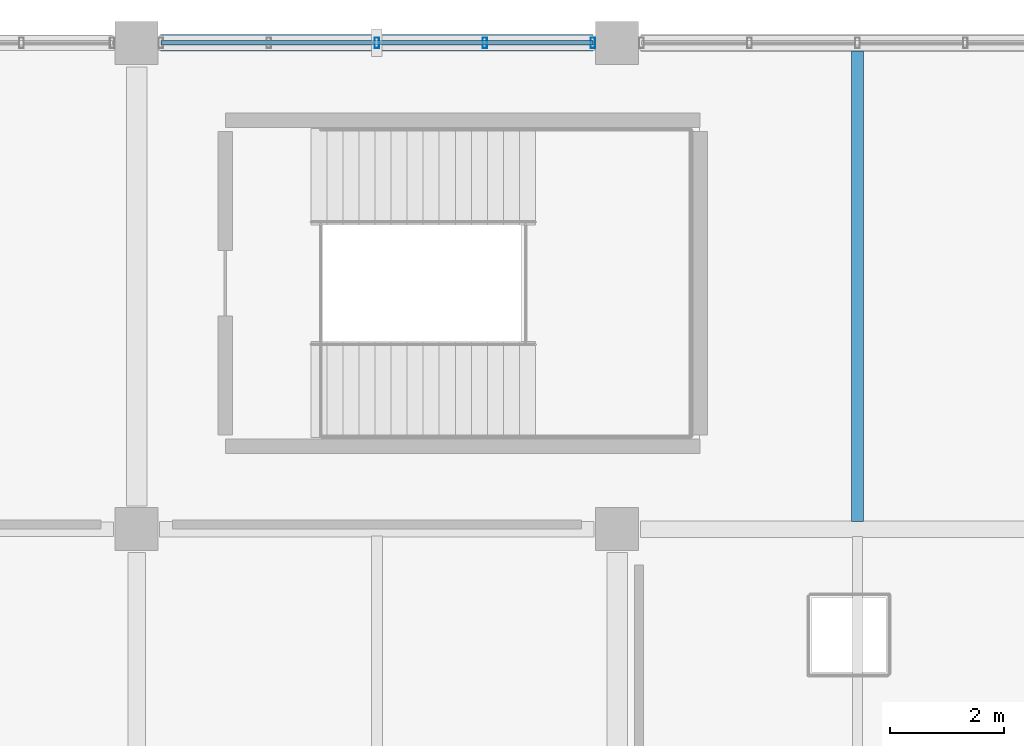
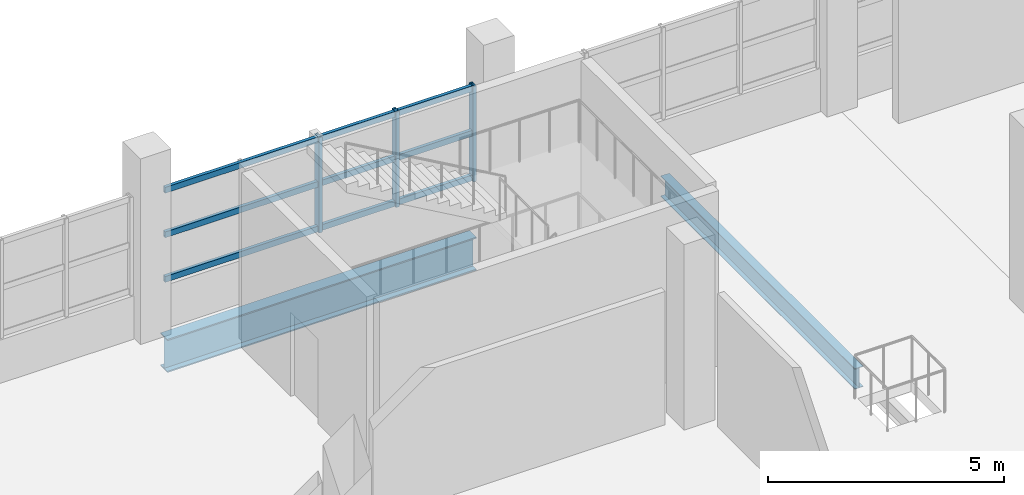
# One storey, part 75 of 117: 6 members, 2 beams, 1 element without a shape of its own.
"""IFC4 building model written with IfcOpenShell, lengths in metres."""

from ifc_helpers import new_model, si_unit, direction, frame, origin, origin_2d, place, context, subcontext, project, spatial, hollow_rectangle, i_section, extrude, material, material_profile, profile_set, type_object, element, aggregate, save


model = new_model("IFC4")

# Units and contexts
model_context = context("Model", 3, precision=1e-05, world=origin(), true_north=direction((0.0, 1.0)))
body_context = subcontext(model_context, "Body", "Model", "MODEL_VIEW")
ifc_project = project(units=[si_unit("LENGTHUNIT", "METRE"), si_unit("AREAUNIT", "SQUARE_METRE"), si_unit("VOLUMEUNIT", "CUBIC_METRE"), si_unit("PLANEANGLEUNIT", "RADIAN"), si_unit("MASSUNIT", "GRAM", prefix="KILO")], contexts=[model_context])

# Site, building, storey
site_placement = place(None, origin())
site = spatial("IfcSite", under=ifc_project, at=site_placement, CompositionType="ELEMENT")
building_placement = place(site_placement, origin())
building = spatial("IfcBuilding", under=site, at=building_placement, Name="Solvento Point Concert Hall", CompositionType="ELEMENT")
storey_placement = place(building_placement, frame((0.0, 0.0, 5.39990234375)))
storey = spatial("IfcBuildingStorey", under=building, at=storey_placement, Name="L01", CompositionType="ELEMENT", Elevation=5.39990234375)

# Beams
ifc_material_1 = material(Name="Structural Steel ASTM A992 Grade 50", Category="steel")
ifc_material_profile_1 = material_profile(ifc_material_1, i_section(OverallWidth=0.20947265625, OverallDepth=0.532958984375, WebThickness=0.01025390625, FlangeThickness=0.015625, at=origin_2d()), Name="W21X62")
ifc_profile_set_1 = profile_set([ifc_material_profile_1], Name="Structural Steel ASTM A992 Grade 50")
beam_type_1 = type_object("IfcBeamType", Name="Beam_W21X62", PredefinedType="BEAM", material=ifc_profile_set_1)
beam_1_placement = place(storey_placement, frame((19.800048828125, 127.631103515625, -0.55029296875), z_axis=(0.0, 1.0, 0.0), x_axis=(-1.0, 0.0, 0.0)))
element("IfcBeam", 1, at=beam_1_placement, inside=storey, type_object=beam_type_1, Name="Secondary floor joist B-25 L01", PredefinedType="BEAM", context=body_context, shape_type="SweptSolid", body=[
    extrude(i_section(OverallWidth=0.20947265625, OverallDepth=0.532958984375, WebThickness=0.01025390625, FlangeThickness=0.015625, at=origin_2d()), origin(), (0.0, 0.0, 1.0), 8.22998046875),
])
ifc_material_2 = material(Name="Structural Steel ASTM A992 Grade 50", Category="steel")
ifc_material_profile_2 = material_profile(ifc_material_2, i_section(OverallWidth=0.2919921875, OverallDepth=0.85888671875, WebThickness=0.01708984375, FlangeThickness=0.031005859375, at=origin_2d()), Name="W33X169")
ifc_profile_set_2 = profile_set([ifc_material_profile_2], Name="Structural Steel ASTM A992 Grade 50")
beam_type_2 = type_object("IfcBeamType", Name="Girder_W33X169", PredefinedType="USERDEFINED", material=ifc_profile_set_2)
beam_2_placement = place(storey_placement, frame((7.618896484375, 136.0, -0.71337890625), z_axis=(1.0, 0.0, 0.0), x_axis=(0.0, 1.0, 0.0)))
element("IfcBeam", 2, at=beam_2_placement, inside=storey, type_object=beam_type_2, Name="Primary girder B-33 L01", ObjectType="GIRDER", PredefinedType="USERDEFINED", context=body_context, shape_type="SweptSolid", body=[
    extrude(i_section(OverallWidth=0.2919921875, OverallDepth=0.85888671875, WebThickness=0.01708984375, FlangeThickness=0.031005859375, at=origin_2d()), origin(), (0.0, 0.0, 1.0), 7.56201171875),
])

# Curtain wall, members
ifc_material_3 = material(Name="Anodized Bronze Aluminium", Category="aluminium")
curtain_wall_type = type_object("IfcCurtainWallType", Name="CurtainWall_CourtPilotis", PredefinedType="USERDEFINED", material=ifc_material_3)
curtain_wall_placement = place(storey_placement, origin())
curtain_wall = element("IfcCurtainWall", 3, at=curtain_wall_placement, inside=storey, type_object=curtain_wall_type, Name="Unitised curtain wall CW-96 UCW-L01-124", ObjectType="UNITISED CURTAIN WALL", PredefinedType="USERDEFINED")
ifc_material_4 = material(Name="Anodized Bronze Aluminium", Category="aluminium")
ifc_material_profile_3 = material_profile(ifc_material_4, hollow_rectangle(XDim=0.080078125, YDim=0.179931640625, WallThickness=0.00390625, at=origin_2d()), Name="CW-MUL-80X180")
ifc_profile_set_3 = profile_set([ifc_material_profile_3], Name="Anodized Bronze Aluminium")
member_type_1 = type_object("IfcMemberType", Name="Mullion_80x180", PredefinedType="MULLION", material=ifc_profile_set_3)
member_1_placement = place(storey_placement, frame((11.39990234375, 136.0, 1.1201171875), z_axis=(0.0, 0.0, 1.0), x_axis=(1.0, 0.0, 0.0)))
member_1 = element("IfcMember", 4, at=member_1_placement, type_object=member_type_1, Name="Curtain wall mullion ML-01", PredefinedType="MULLION", context=body_context, shape_type="SweptSolid", body=[
    extrude(hollow_rectangle(XDim=0.080078125, YDim=0.179931640625, WallThickness=0.00390625, at=origin_2d()), origin(), (0.0, 0.0, 1.0), 2.467041015625),
])
member_2_placement = place(storey_placement, frame((13.28759765625, 136.0, 1.1201171875), z_axis=(0.0, 0.0, 1.0), x_axis=(1.0, 0.0, 0.0)))
member_2 = element("IfcMember", 5, at=member_2_placement, type_object=member_type_1, Name="Curtain wall mullion ML-01", PredefinedType="MULLION", context=body_context, shape_type="SweptSolid", body=[
    extrude(hollow_rectangle(XDim=0.080078125, YDim=0.179931640625, WallThickness=0.00390625, at=origin_2d()), origin(), (0.0, 0.0, 1.0), 2.467041015625),
])
member_3_placement = place(storey_placement, frame((15.175048828125, 136.0, 1.1201171875), z_axis=(0.0, 0.0, 1.0), x_axis=(1.0, 0.0, 0.0)))
member_3 = element("IfcMember", 6, at=member_3_placement, type_object=member_type_1, Name="Curtain wall mullion ML-01", PredefinedType="MULLION", context=body_context, shape_type="SweptSolid", body=[
    extrude(hollow_rectangle(XDim=0.080078125, YDim=0.179931640625, WallThickness=0.00390625, at=origin_2d()), origin(), (0.0, 0.0, 1.0), 2.467041015625),
])
ifc_material_5 = material(Name="Anodized Bronze Aluminium", Category="aluminium")
ifc_material_profile_4 = material_profile(ifc_material_5, hollow_rectangle(XDim=0.080078125, YDim=0.14990234375, WallThickness=0.00390625, at=origin_2d()), Name="CW-TRN-80X150")
ifc_profile_set_4 = profile_set([ifc_material_profile_4], Name="Anodized Bronze Aluminium")
member_type_2 = type_object("IfcMemberType", Name="Transom_80x150", PredefinedType="USERDEFINED", material=ifc_profile_set_4)
member_4_placement = place(storey_placement, frame((7.625, 136.0, 1.2001953125), z_axis=(1.0, 0.0, 0.0), x_axis=(0.0, 1.0, 0.0)))
member_4 = element("IfcMember", 7, at=member_4_placement, type_object=member_type_2, Name="Curtain wall transom TR-01", ObjectType="TRANSOM", PredefinedType="USERDEFINED", context=body_context, shape_type="SweptSolid", body=[
    extrude(hollow_rectangle(XDim=0.080078125, YDim=0.14990234375, WallThickness=0.00390625, at=origin_2d()), origin(), (0.0, 0.0, 1.0), 7.550048828125),
])
member_5_placement = place(storey_placement, frame((7.625, 136.0, 2.353515625), z_axis=(1.0, 0.0, 0.0), x_axis=(0.0, 1.0, 0.0)))
member_5 = element("IfcMember", 8, at=member_5_placement, type_object=member_type_2, Name="Curtain wall transom TR-01", ObjectType="TRANSOM", PredefinedType="USERDEFINED", context=body_context, shape_type="SweptSolid", body=[
    extrude(hollow_rectangle(XDim=0.080078125, YDim=0.14990234375, WallThickness=0.00390625, at=origin_2d()), origin(), (0.0, 0.0, 1.0), 7.550048828125),
])
member_6_placement = place(storey_placement, frame((7.625, 136.0, 3.507080078125), z_axis=(1.0, 0.0, 0.0), x_axis=(0.0, 1.0, 0.0)))
member_6 = element("IfcMember", 9, at=member_6_placement, type_object=member_type_2, Name="Curtain wall transom TR-01", ObjectType="TRANSOM", PredefinedType="USERDEFINED", context=body_context, shape_type="SweptSolid", body=[
    extrude(hollow_rectangle(XDim=0.080078125, YDim=0.14990234375, WallThickness=0.00390625, at=origin_2d()), origin(), (0.0, 0.0, 1.0), 7.550048828125),
])
aggregate(curtain_wall, [member_1, member_2, member_3, member_4, member_5, member_6])

save(model, "model.ifc")
